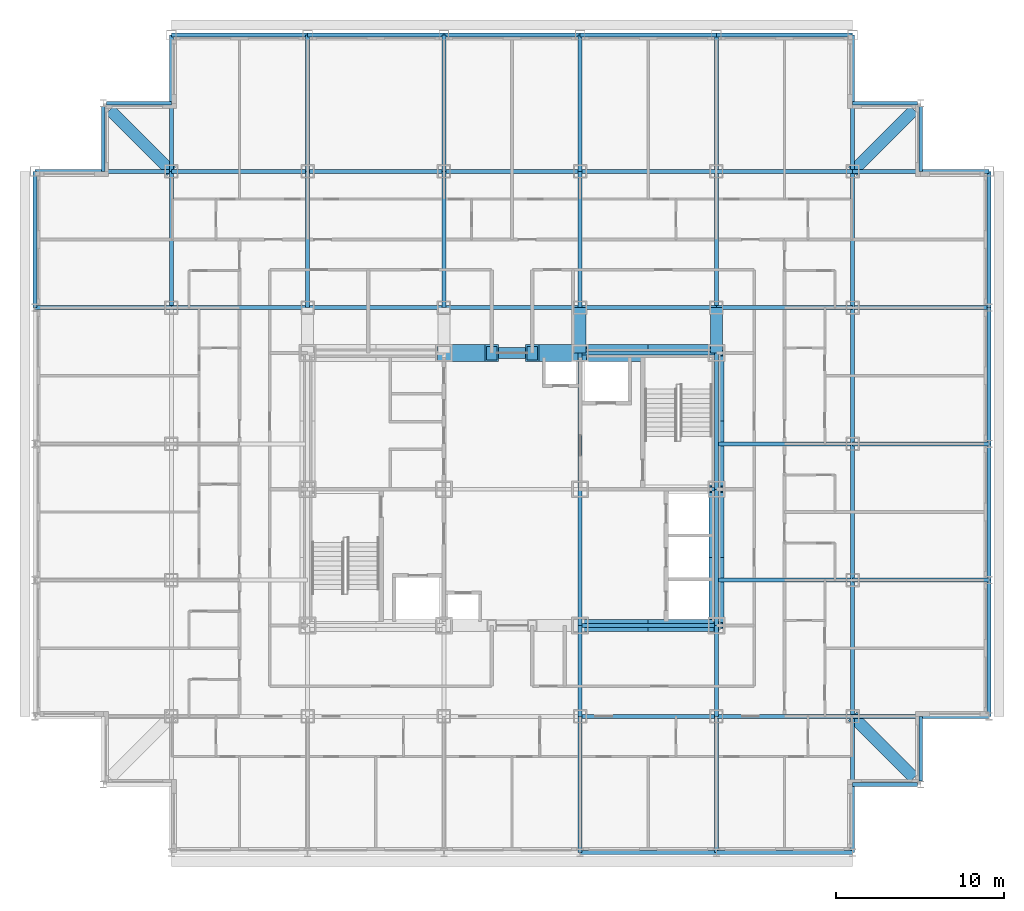
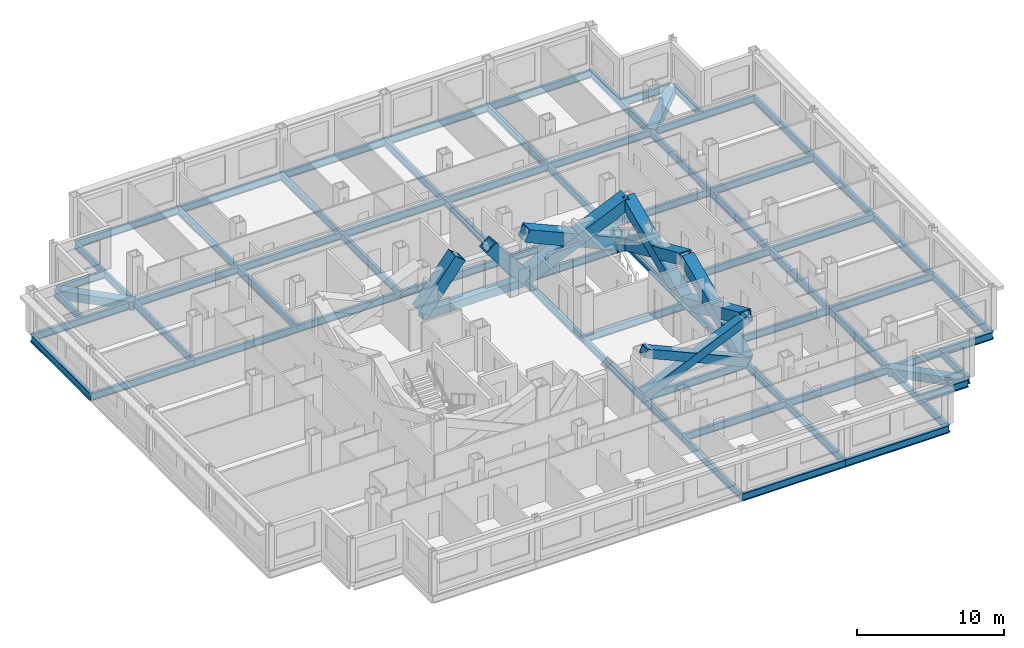
# One storey, part 2 of 12: 72 beams, 10 members.
"""IFC4 building model written with IfcOpenShell, lengths in metres."""

from ifc_helpers import new_model, si_unit, direction, frame, origin, origin_2d, place, context, subcontext, project, spatial, hollow_rectangle, i_section, extrude, material, material_profile, profile_set, type_object, element, save


model = new_model("IFC4")

# Units and contexts
model_context = context("Model", 3, precision=1e-05, world=origin(), true_north=direction((0.0, 1.0)))
body_context = subcontext(model_context, "Body", "Model", "MODEL_VIEW")
ifc_project = project(units=[si_unit("LENGTHUNIT", "METRE"), si_unit("AREAUNIT", "SQUARE_METRE"), si_unit("VOLUMEUNIT", "CUBIC_METRE"), si_unit("PLANEANGLEUNIT", "RADIAN"), si_unit("MASSUNIT", "GRAM", prefix="KILO")], contexts=[model_context])

# Site, building, storey
site_placement = place(None, origin())
site = spatial("IfcSite", under=ifc_project, at=site_placement, CompositionType="ELEMENT")
building_placement = place(site_placement, origin())
building = spatial("IfcBuilding", under=site, at=building_placement, Name="Kopane Lantern Tower", CompositionType="ELEMENT")
storey_placement = place(building_placement, frame((0.0, 0.0, 188.39990234375)))
storey = spatial("IfcBuildingStorey", under=building, at=storey_placement, Name="L48", CompositionType="ELEMENT", Elevation=188.39990234375)

# Members
ifc_material_1 = material(Name="Steel S355JR", Category="steel")
ifc_material_profile_1 = material_profile(ifc_material_1, hollow_rectangle(XDim=1.0, YDim=1.0, WallThickness=0.10009765625, at=origin_2d()), Name="BOX 1000x1000x100")
ifc_profile_set_1 = profile_set([ifc_material_profile_1], Name="Steel S355JR")
member_type_1 = type_object("IfcMemberType", Name="BRACE BOX 1000x1000x100", PredefinedType="BRACE", material=ifc_profile_set_1)
for number, where, z_axis, x_axis, name in (
    (1, (24.300048828125, 40.5, -0.2099609375), (0.620672981644, 0.0, 0.784069544018), (0.0, 1.0, 0.0), "Core brace L48"),
    (2, (32.39990234375, 40.5, -0.2099609375), (-0.620672981644, 0.0, 0.784069544018), (0.0, -1.0, 0.0), "Core brace L48"),
):
    element("IfcMember", number, at=place(storey_placement, frame(where, z_axis=z_axis, x_axis=x_axis)), inside=storey, type_object=member_type_1, Name=name, PredefinedType="BRACE", context=body_context, shape_type="SweptSolid", body=[
        extrude(hollow_rectangle(XDim=1.0, YDim=1.0, WallThickness=0.10009765625, at=origin_2d()), origin(), (0.0, 0.0, 1.0), 4.591552734375),
    ])
for number, where, z_axis, x_axis, name in (
    (3, (32.39990234375, 40.5, -0.2099609375), (0.913809277049, 0.0, 0.40614357705), (0.0, 1.0, 0.0), "Core brace L48"),
    (4, (40.5, 40.5, -0.2099609375), (-0.913809277049, 0.0, 0.40614357705), (0.0, -1.0, 0.0), "Core brace L48"),
):
    element("IfcMember", number, at=place(storey_placement, frame(where, z_axis=z_axis, x_axis=x_axis)), inside=storey, type_object=member_type_1, Name=name, PredefinedType="BRACE", context=body_context, shape_type="SweptSolid", body=[
        extrude(hollow_rectangle(XDim=1.0, YDim=1.0, WallThickness=0.10009765625, at=origin_2d()), origin(), (0.0, 0.0, 1.0), 8.864013671875),
    ])
ifc_material_2 = material(Name="Steel S355JR", Category="steel")
ifc_material_profile_2 = material_profile(ifc_material_2, hollow_rectangle(XDim=0.699951171875, YDim=0.699951171875, WallThickness=0.06005859375, at=origin_2d()), Name="BOX 700x700x60")
ifc_profile_set_2 = profile_set([ifc_material_profile_2], Name="Steel S355JR")
member_type_2 = type_object("IfcMemberType", Name="BRACE BOX 700x700x60", PredefinedType="BRACE", material=ifc_profile_set_2)
for number, where, z_axis, x_axis, name in (
    (5, (32.39990234375, 24.300048828125, -0.2099609375), (0.913809277049, 0.0, 0.40614357705), (0.0, 1.0, 0.0), "Core brace L48"),
    (6, (40.5, 24.300048828125, -0.2099609375), (-0.913809277049, 0.0, 0.40614357705), (0.0, -1.0, 0.0), "Core brace L48"),
):
    element("IfcMember", number, at=place(storey_placement, frame(where, z_axis=z_axis, x_axis=x_axis)), inside=storey, type_object=member_type_2, Name=name, PredefinedType="BRACE", context=body_context, shape_type="SweptSolid", body=[
        extrude(hollow_rectangle(XDim=0.699951171875, YDim=0.699951171875, WallThickness=0.06005859375, at=origin_2d()), origin(), (0.0, 0.0, 1.0), 8.864013671875),
    ])
ifc_material_3 = material(Name="Steel S355JR", Category="steel")
ifc_material_profile_3 = material_profile(ifc_material_3, hollow_rectangle(XDim=0.89990234375, YDim=0.89990234375, WallThickness=0.090087890625, at=origin_2d()), Name="BOX 900x900x90")
ifc_profile_set_3 = profile_set([ifc_material_profile_3], Name="Steel S355JR")
member_type_3 = type_object("IfcMemberType", Name="BRACE BOX 900x900x90", PredefinedType="BRACE", material=ifc_profile_set_3)
for number, where, z_axis, x_axis, name in (
    (7, (40.5, 24.300048828125, -0.2099609375), (0.0, 0.91380473365, 0.406153799391), (-1.0, 0.0, 0.0), "Core brace L48"),
    (8, (40.5, 32.39990234375, -0.2099609375), (0.0, -0.91380473365, 0.406153799391), (1.0, 0.0, 0.0), "Core brace L48"),
):
    element("IfcMember", number, at=place(storey_placement, frame(where, z_axis=z_axis, x_axis=x_axis)), inside=storey, type_object=member_type_3, Name=name, PredefinedType="BRACE", context=body_context, shape_type="SweptSolid", body=[
        extrude(hollow_rectangle(XDim=0.89990234375, YDim=0.89990234375, WallThickness=0.090087890625, at=origin_2d()), origin(), (0.0, 0.0, 1.0), 8.86376953125),
    ])
for number, where, z_axis, x_axis, name in (
    (9, (40.5, 32.39990234375, -0.2099609375), (0.0, 0.913809277049, 0.40614357705), (-1.0, 0.0, 0.0), "Core brace L48"),
    (10, (40.5, 40.5, -0.2099609375), (0.0, -0.913809277049, 0.40614357705), (1.0, 0.0, 0.0), "Core brace L48"),
):
    element("IfcMember", number, at=place(storey_placement, frame(where, z_axis=z_axis, x_axis=x_axis)), inside=storey, type_object=member_type_3, Name=name, PredefinedType="BRACE", context=body_context, shape_type="SweptSolid", body=[
        extrude(hollow_rectangle(XDim=0.89990234375, YDim=0.89990234375, WallThickness=0.090087890625, at=origin_2d()), origin(), (0.0, 0.0, 1.0), 8.864013671875),
    ])

# Beams
ifc_material_4 = material(Name="Steel S355JR", Category="steel")
ifc_material_profile_4 = material_profile(ifc_material_4, i_section(OverallWidth=0.22900390625, OverallDepth=0.6123046875, WebThickness=0.011962890625, FlangeThickness=0.01953125, FilletRadius=0.0126953125, at=origin_2d()), Name="UB 610x229x125")
ifc_profile_set_4 = profile_set([ifc_material_profile_4], Name="Steel S355JR")
beam_type_1 = type_object("IfcBeamType", Name="CORE BEAM UB 610x229x125", PredefinedType="BEAM", material=ifc_profile_set_4)
beam_1_placement = place(storey_placement, frame((32.39990234375, 24.300048828125, -0.51611328125), z_axis=(0.0, 1.0, 0.0), x_axis=(-1.0, 0.0, 0.0)))
element("IfcBeam", 11, at=beam_1_placement, inside=storey, type_object=beam_type_1, Name="Core Beam L48", PredefinedType="BEAM", context=body_context, shape_type="SweptSolid", body=[
    extrude(i_section(OverallWidth=0.22900390625, OverallDepth=0.6123046875, WebThickness=0.011962890625, FlangeThickness=0.01953125, FilletRadius=0.0126953125, at=origin_2d()), origin(), (0.0, 0.0, 1.0), 8.099853515625),
])
for number, where, z_axis, x_axis, name in (
    (12, (32.39990234375, 32.39990234375, -0.51611328125), (0.0, 1.0, 0.0), (-1.0, 0.0, 0.0), "Core Beam L48"),
    (13, (32.39990234375, 32.39990234375, -0.51611328125), (1.0, 0.0, 0.0), (0.0, 1.0, 0.0), "Core Beam L48"),
):
    element("IfcBeam", number, at=place(storey_placement, frame(where, z_axis=z_axis, x_axis=x_axis)), inside=storey, type_object=beam_type_1, Name=name, PredefinedType="BEAM", context=body_context, shape_type="SweptSolid", body=[
        extrude(i_section(OverallWidth=0.22900390625, OverallDepth=0.6123046875, WebThickness=0.011962890625, FlangeThickness=0.01953125, FilletRadius=0.0126953125, at=origin_2d()), origin(), (0.0, 0.0, 1.0), 8.10009765625),
    ])
ifc_material_5 = material(Name="Steel S355JR", Category="steel")
ifc_material_profile_5 = material_profile(ifc_material_5, hollow_rectangle(XDim=0.699951171875, YDim=0.699951171875, WallThickness=0.06005859375, at=origin_2d()), Name="BOX 700x700x60")
ifc_profile_set_5 = profile_set([ifc_material_profile_5], Name="Steel S355JR")
beam_type_2 = type_object("IfcBeamType", Name="CORNER TIE BEAM BOX 700x700x60", PredefinedType="BEAM", material=ifc_profile_set_5)
for number, where, z_axis, x_axis, name in (
    (14, (4.447509765625, 54.952392578125, -0.559814453125), (0.70713041325, -0.707083148333, 0.0), (0.707083148333, 0.70713041325, 0.0), "Corner Tie Beam L48"),
    (15, (52.25244140625, 15.24755859375, -0.559814453125), (-0.707106781187, 0.707106781187, 0.0), (-0.707106781187, -0.707106781187, 0.0), "Corner Tie Beam L48"),
    (16, (52.25244140625, 54.952392578125, -0.559814453125), (-0.707106781187, -0.707106781187, 0.0), (0.707106781187, -0.707106781187, 0.0), "Corner Tie Beam L48"),
):
    element("IfcBeam", number, at=place(storey_placement, frame(where, z_axis=z_axis, x_axis=x_axis)), inside=storey, type_object=beam_type_2, Name=name, PredefinedType="BEAM", context=body_context, shape_type="SweptSolid", body=[
        extrude(hollow_rectangle(XDim=0.699951171875, YDim=0.699951171875, WallThickness=0.06005859375, at=origin_2d()), origin(), (0.0, 0.0, 1.0), 5.165283203125),
    ])
ifc_material_6 = material(Name="Steel S355JR", Category="steel")
ifc_material_profile_6 = material_profile(ifc_material_6, i_section(OverallWidth=0.22900390625, OverallDepth=0.6123046875, WebThickness=0.011962890625, FlangeThickness=0.01953125, FilletRadius=0.0126953125, at=origin_2d()), Name="UB 610x229x125")
ifc_profile_set_6 = profile_set([ifc_material_profile_6], Name="Steel S355JR")
beam_type_3 = type_object("IfcBeamType", Name="EDGE BEAM UB 610x229x125", PredefinedType="BEAM", material=ifc_profile_set_6)
beam_2_placement = place(storey_placement, frame((4.050048828125, 55.146484375, -0.51611328125), z_axis=(0.0, -1.0, 0.0), x_axis=(1.0, 0.0, 0.0)))
element("IfcBeam", 17, at=beam_2_placement, inside=storey, type_object=beam_type_3, Name="Edge Beam L48", PredefinedType="BEAM", context=body_context, shape_type="SweptSolid", body=[
    extrude(i_section(OverallWidth=0.22900390625, OverallDepth=0.6123046875, WebThickness=0.011962890625, FlangeThickness=0.01953125, FilletRadius=0.0126953125, at=origin_2d()), origin(), (0.0, 0.0, 1.0), 3.846435546875),
])
beam_3_placement = place(storey_placement, frame((4.25341796875, 55.35009765625, -0.51611328125), z_axis=(1.0, 0.0, 0.0), x_axis=(0.0, 1.0, 0.0)))
element("IfcBeam", 18, at=beam_3_placement, inside=storey, type_object=beam_type_3, Name="Edge Beam L48", PredefinedType="BEAM", context=body_context, shape_type="SweptSolid", body=[
    extrude(i_section(OverallWidth=0.22900390625, OverallDepth=0.6123046875, WebThickness=0.011962890625, FlangeThickness=0.01953125, FilletRadius=0.0126953125, at=origin_2d()), origin(), (0.0, 0.0, 1.0), 3.8466796875),
])
for number, where, z_axis, x_axis, name in (
    (19, (52.446533203125, 14.85009765625, -0.51611328125), (-1.0, 0.0, 0.0), (0.0, -1.0, 0.0), "Edge Beam L48"),
    (20, (52.446533203125, 55.35009765625, -0.51611328125), (-1.0, 0.0, 0.0), (0.0, -1.0, 0.0), "Edge Beam L48"),
    (21, (52.64990234375, 15.053466796875, -0.51611328125), (0.0, 1.0, 0.0), (-1.0, 0.0, 0.0), "Edge Beam L48"),
    (22, (52.64990234375, 55.146484375, -0.51611328125), (0.0, -1.0, 0.0), (1.0, 0.0, 0.0), "Edge Beam L48"),
):
    element("IfcBeam", number, at=place(storey_placement, frame(where, z_axis=z_axis, x_axis=x_axis)), inside=storey, type_object=beam_type_3, Name=name, PredefinedType="BEAM", context=body_context, shape_type="SweptSolid", body=[
        extrude(i_section(OverallWidth=0.22900390625, OverallDepth=0.6123046875, WebThickness=0.011962890625, FlangeThickness=0.01953125, FilletRadius=0.0126953125, at=origin_2d()), origin(), (0.0, 0.0, 1.0), 3.846435546875),
    ])
ifc_material_7 = material(Name="Steel S355JR", Category="steel")
ifc_material_profile_7 = material_profile(ifc_material_7, hollow_rectangle(XDim=0.699951171875, YDim=0.699951171875, WallThickness=0.06005859375, at=origin_2d()), Name="BOX 700x700x60")
ifc_profile_set_7 = profile_set([ifc_material_profile_7], Name="Steel S355JR")
beam_type_4 = type_object("IfcBeamType", Name="GIRDER BOX 700x700x60", PredefinedType="BEAM", material=ifc_profile_set_7)
for number, where, z_axis, x_axis, name in (
    (23, (32.39990234375, 40.5, -0.559814453125), (0.0, 1.0, 0.0), (-1.0, 0.0, 0.0), "Girder L48"),
    (24, (40.5, 40.5, -0.559814453125), (0.0, 1.0, 0.0), (-1.0, 0.0, 0.0), "Girder L48"),
):
    element("IfcBeam", number, at=place(storey_placement, frame(where, z_axis=z_axis, x_axis=x_axis)), inside=storey, type_object=beam_type_4, Name=name, PredefinedType="BEAM", context=body_context, shape_type="SweptSolid", body=[
        extrude(hollow_rectangle(XDim=0.699951171875, YDim=0.699951171875, WallThickness=0.06005859375, at=origin_2d()), origin(), (0.0, 0.0, 1.0), 2.699951171875),
    ])
ifc_material_8 = material(Name="Steel S355JR", Category="steel")
ifc_material_profile_8 = material_profile(ifc_material_8, i_section(OverallWidth=0.22900390625, OverallDepth=0.6123046875, WebThickness=0.011962890625, FlangeThickness=0.01953125, FilletRadius=0.0126953125, at=origin_2d()), Name="UB 610x229x125")
ifc_profile_set_8 = profile_set([ifc_material_profile_8], Name="Steel S355JR")
beam_type_5 = type_object("IfcBeamType", Name="GIRDER UB 610x229x125", PredefinedType="BEAM", material=ifc_profile_set_8)
for number, where, z_axis, x_axis, name in (
    (25, (0.0, 43.199951171875, -0.51611328125), (0.0, 1.0, 0.0), (-1.0, 0.0, 0.0), "Girder L48"),
    (26, (0.0, 43.199951171875, -0.51611328125), (1.0, 0.0, 0.0), (0.0, 1.0, 0.0), "Girder L48"),
    (27, (0.0, 51.300048828125, -0.51611328125), (1.0, 0.0, 0.0), (0.0, 1.0, 0.0), "Girder L48"),
    (28, (8.10009765625, 43.199951171875, -0.51611328125), (0.0, 1.0, 0.0), (-1.0, 0.0, 0.0), "Girder L48"),
):
    element("IfcBeam", number, at=place(storey_placement, frame(where, z_axis=z_axis, x_axis=x_axis)), inside=storey, type_object=beam_type_5, Name=name, PredefinedType="BEAM", context=body_context, shape_type="SweptSolid", body=[
        extrude(i_section(OverallWidth=0.22900390625, OverallDepth=0.6123046875, WebThickness=0.011962890625, FlangeThickness=0.01953125, FilletRadius=0.0126953125, at=origin_2d()), origin(), (0.0, 0.0, 1.0), 8.10009765625),
    ])
for number, where, z_axis, x_axis, name in (
    (29, (8.10009765625, 43.199951171875, -0.51611328125), (1.0, 0.0, 0.0), (0.0, 1.0, 0.0), "Girder L48"),
    (30, (8.10009765625, 51.300048828125, -0.51611328125), (0.0, 1.0, 0.0), (-1.0, 0.0, 0.0), "Girder L48"),
    (31, (8.10009765625, 51.300048828125, -0.51611328125), (1.0, 0.0, 0.0), (0.0, 1.0, 0.0), "Girder L48"),
    (32, (8.10009765625, 59.39990234375, -0.51611328125), (1.0, 0.0, 0.0), (0.0, 1.0, 0.0), "Girder L48"),
):
    element("IfcBeam", number, at=place(storey_placement, frame(where, z_axis=z_axis, x_axis=x_axis)), inside=storey, type_object=beam_type_5, Name=name, PredefinedType="BEAM", context=body_context, shape_type="SweptSolid", body=[
        extrude(i_section(OverallWidth=0.22900390625, OverallDepth=0.6123046875, WebThickness=0.011962890625, FlangeThickness=0.01953125, FilletRadius=0.0126953125, at=origin_2d()), origin(), (0.0, 0.0, 1.0), 8.099853515625),
    ])
for number, where, z_axis, x_axis, name in (
    (33, (16.199951171875, 43.199951171875, -0.51611328125), (0.0, 1.0, 0.0), (-1.0, 0.0, 0.0), "Girder L48"),
    (34, (16.199951171875, 43.199951171875, -0.51611328125), (1.0, 0.0, 0.0), (0.0, 1.0, 0.0), "Girder L48"),
):
    element("IfcBeam", number, at=place(storey_placement, frame(where, z_axis=z_axis, x_axis=x_axis)), inside=storey, type_object=beam_type_5, Name=name, PredefinedType="BEAM", context=body_context, shape_type="SweptSolid", body=[
        extrude(i_section(OverallWidth=0.22900390625, OverallDepth=0.6123046875, WebThickness=0.011962890625, FlangeThickness=0.01953125, FilletRadius=0.0126953125, at=origin_2d()), origin(), (0.0, 0.0, 1.0), 8.10009765625),
    ])
beam_4_placement = place(storey_placement, frame((16.199951171875, 51.300048828125, -0.51611328125), z_axis=(0.0, 1.0, 0.0), x_axis=(-1.0, 0.0, 0.0)))
element("IfcBeam", 35, at=beam_4_placement, inside=storey, type_object=beam_type_5, Name="Girder L48", PredefinedType="BEAM", context=body_context, shape_type="SweptSolid", body=[
    extrude(i_section(OverallWidth=0.22900390625, OverallDepth=0.6123046875, WebThickness=0.011962890625, FlangeThickness=0.01953125, FilletRadius=0.0126953125, at=origin_2d()), origin(), (0.0, 0.0, 1.0), 8.099853515625),
])
for number, where, z_axis, x_axis, name in (
    (36, (16.199951171875, 51.300048828125, -0.51611328125), (1.0, 0.0, 0.0), (0.0, 1.0, 0.0), "Girder L48"),
    (37, (16.199951171875, 59.39990234375, -0.51611328125), (1.0, 0.0, 0.0), (0.0, 1.0, 0.0), "Girder L48"),
    (38, (24.300048828125, 43.199951171875, -0.51611328125), (0.0, 1.0, 0.0), (-1.0, 0.0, 0.0), "Girder L48"),
):
    element("IfcBeam", number, at=place(storey_placement, frame(where, z_axis=z_axis, x_axis=x_axis)), inside=storey, type_object=beam_type_5, Name=name, PredefinedType="BEAM", context=body_context, shape_type="SweptSolid", body=[
        extrude(i_section(OverallWidth=0.22900390625, OverallDepth=0.6123046875, WebThickness=0.011962890625, FlangeThickness=0.01953125, FilletRadius=0.0126953125, at=origin_2d()), origin(), (0.0, 0.0, 1.0), 8.10009765625),
    ])
for number, where, z_axis, x_axis, name in (
    (39, (24.300048828125, 43.199951171875, -0.51611328125), (1.0, 0.0, 0.0), (0.0, 1.0, 0.0), "Girder L48"),
    (40, (24.300048828125, 51.300048828125, -0.51611328125), (0.0, 1.0, 0.0), (-1.0, 0.0, 0.0), "Girder L48"),
    (41, (24.300048828125, 51.300048828125, -0.51611328125), (1.0, 0.0, 0.0), (0.0, 1.0, 0.0), "Girder L48"),
    (42, (24.300048828125, 59.39990234375, -0.51611328125), (1.0, 0.0, 0.0), (0.0, 1.0, 0.0), "Girder L48"),
    (43, (32.39990234375, 10.800048828125, -0.51611328125), (0.0, 1.0, 0.0), (-1.0, 0.0, 0.0), "Girder L48"),
):
    element("IfcBeam", number, at=place(storey_placement, frame(where, z_axis=z_axis, x_axis=x_axis)), inside=storey, type_object=beam_type_5, Name=name, PredefinedType="BEAM", context=body_context, shape_type="SweptSolid", body=[
        extrude(i_section(OverallWidth=0.22900390625, OverallDepth=0.6123046875, WebThickness=0.011962890625, FlangeThickness=0.01953125, FilletRadius=0.0126953125, at=origin_2d()), origin(), (0.0, 0.0, 1.0), 8.099853515625),
    ])
beam_5_placement = place(storey_placement, frame((32.39990234375, 10.800048828125, -0.51611328125), z_axis=(1.0, 0.0, 0.0), x_axis=(0.0, 1.0, 0.0)))
element("IfcBeam", 44, at=beam_5_placement, inside=storey, type_object=beam_type_5, Name="Girder L48", PredefinedType="BEAM", context=body_context, shape_type="SweptSolid", body=[
    extrude(i_section(OverallWidth=0.22900390625, OverallDepth=0.6123046875, WebThickness=0.011962890625, FlangeThickness=0.01953125, FilletRadius=0.0126953125, at=origin_2d()), origin(), (0.0, 0.0, 1.0), 8.10009765625),
])
beam_6_placement = place(storey_placement, frame((32.39990234375, 18.89990234375, -0.51611328125), z_axis=(0.0, 1.0, 0.0), x_axis=(-1.0, 0.0, 0.0)))
element("IfcBeam", 45, at=beam_6_placement, inside=storey, type_object=beam_type_5, Name="Girder L48", PredefinedType="BEAM", context=body_context, shape_type="SweptSolid", body=[
    extrude(i_section(OverallWidth=0.22900390625, OverallDepth=0.6123046875, WebThickness=0.011962890625, FlangeThickness=0.01953125, FilletRadius=0.0126953125, at=origin_2d()), origin(), (0.0, 0.0, 1.0), 5.400146484375),
])
for number, where, z_axis, x_axis, name in (
    (46, (32.39990234375, 18.89990234375, -0.51611328125), (1.0, 0.0, 0.0), (0.0, 1.0, 0.0), "Girder L48"),
    (47, (32.39990234375, 24.300048828125, -0.51611328125), (1.0, 0.0, 0.0), (0.0, 1.0, 0.0), "Girder L48"),
    (48, (32.39990234375, 40.5, -0.51611328125), (1.0, 0.0, 0.0), (0.0, 1.0, 0.0), "Girder L48"),
    (49, (32.39990234375, 43.199951171875, -0.51611328125), (0.0, 1.0, 0.0), (-1.0, 0.0, 0.0), "Girder L48"),
    (50, (32.39990234375, 43.199951171875, -0.51611328125), (1.0, 0.0, 0.0), (0.0, 1.0, 0.0), "Girder L48"),
):
    element("IfcBeam", number, at=place(storey_placement, frame(where, z_axis=z_axis, x_axis=x_axis)), inside=storey, type_object=beam_type_5, Name=name, PredefinedType="BEAM", context=body_context, shape_type="SweptSolid", body=[
        extrude(i_section(OverallWidth=0.22900390625, OverallDepth=0.6123046875, WebThickness=0.011962890625, FlangeThickness=0.01953125, FilletRadius=0.0126953125, at=origin_2d()), origin(), (0.0, 0.0, 1.0), 8.10009765625),
    ])
beam_7_placement = place(storey_placement, frame((32.39990234375, 51.300048828125, -0.51611328125), z_axis=(0.0, 1.0, 0.0), x_axis=(-1.0, 0.0, 0.0)))
element("IfcBeam", 51, at=beam_7_placement, inside=storey, type_object=beam_type_5, Name="Girder L48", PredefinedType="BEAM", context=body_context, shape_type="SweptSolid", body=[
    extrude(i_section(OverallWidth=0.22900390625, OverallDepth=0.6123046875, WebThickness=0.011962890625, FlangeThickness=0.01953125, FilletRadius=0.0126953125, at=origin_2d()), origin(), (0.0, 0.0, 1.0), 8.099853515625),
])
for number, where, z_axis, x_axis, name in (
    (52, (32.39990234375, 51.300048828125, -0.51611328125), (1.0, 0.0, 0.0), (0.0, 1.0, 0.0), "Girder L48"),
    (53, (32.39990234375, 59.39990234375, -0.51611328125), (1.0, 0.0, 0.0), (0.0, 1.0, 0.0), "Girder L48"),
):
    element("IfcBeam", number, at=place(storey_placement, frame(where, z_axis=z_axis, x_axis=x_axis)), inside=storey, type_object=beam_type_5, Name=name, PredefinedType="BEAM", context=body_context, shape_type="SweptSolid", body=[
        extrude(i_section(OverallWidth=0.22900390625, OverallDepth=0.6123046875, WebThickness=0.011962890625, FlangeThickness=0.01953125, FilletRadius=0.0126953125, at=origin_2d()), origin(), (0.0, 0.0, 1.0), 8.10009765625),
    ])
beam_8_placement = place(storey_placement, frame((40.5, 10.800048828125, -0.51611328125), z_axis=(0.0, 1.0, 0.0), x_axis=(-1.0, 0.0, 0.0)))
element("IfcBeam", 54, at=beam_8_placement, inside=storey, type_object=beam_type_5, Name="Girder L48", PredefinedType="BEAM", context=body_context, shape_type="SweptSolid", body=[
    extrude(i_section(OverallWidth=0.22900390625, OverallDepth=0.6123046875, WebThickness=0.011962890625, FlangeThickness=0.01953125, FilletRadius=0.0126953125, at=origin_2d()), origin(), (0.0, 0.0, 1.0), 8.099853515625),
])
beam_9_placement = place(storey_placement, frame((40.5, 10.800048828125, -0.51611328125), z_axis=(1.0, 0.0, 0.0), x_axis=(0.0, 1.0, 0.0)))
element("IfcBeam", 55, at=beam_9_placement, inside=storey, type_object=beam_type_5, Name="Girder L48", PredefinedType="BEAM", context=body_context, shape_type="SweptSolid", body=[
    extrude(i_section(OverallWidth=0.22900390625, OverallDepth=0.6123046875, WebThickness=0.011962890625, FlangeThickness=0.01953125, FilletRadius=0.0126953125, at=origin_2d()), origin(), (0.0, 0.0, 1.0), 8.10009765625),
])
beam_10_placement = place(storey_placement, frame((40.5, 18.89990234375, -0.51611328125), z_axis=(0.0, 1.0, 0.0), x_axis=(-1.0, 0.0, 0.0)))
element("IfcBeam", 56, at=beam_10_placement, inside=storey, type_object=beam_type_5, Name="Girder L48", PredefinedType="BEAM", context=body_context, shape_type="SweptSolid", body=[
    extrude(i_section(OverallWidth=0.22900390625, OverallDepth=0.6123046875, WebThickness=0.011962890625, FlangeThickness=0.01953125, FilletRadius=0.0126953125, at=origin_2d()), origin(), (0.0, 0.0, 1.0), 5.400146484375),
])
beam_11_placement = place(storey_placement, frame((40.5, 18.89990234375, -0.51611328125), z_axis=(1.0, 0.0, 0.0), x_axis=(0.0, 1.0, 0.0)))
element("IfcBeam", 57, at=beam_11_placement, inside=storey, type_object=beam_type_5, Name="Girder L48", PredefinedType="BEAM", context=body_context, shape_type="SweptSolid", body=[
    extrude(i_section(OverallWidth=0.22900390625, OverallDepth=0.6123046875, WebThickness=0.011962890625, FlangeThickness=0.01953125, FilletRadius=0.0126953125, at=origin_2d()), origin(), (0.0, 0.0, 1.0), 8.10009765625),
])
beam_12_placement = place(storey_placement, frame((40.5, 24.300048828125, -0.51611328125), z_axis=(0.0, 1.0, 0.0), x_axis=(-1.0, 0.0, 0.0)))
element("IfcBeam", 58, at=beam_12_placement, inside=storey, type_object=beam_type_5, Name="Girder L48", PredefinedType="BEAM", context=body_context, shape_type="SweptSolid", body=[
    extrude(i_section(OverallWidth=0.22900390625, OverallDepth=0.6123046875, WebThickness=0.011962890625, FlangeThickness=0.01953125, FilletRadius=0.0126953125, at=origin_2d()), origin(), (0.0, 0.0, 1.0), 8.099853515625),
])
for number, where, z_axis, x_axis, name in (
    (59, (40.5, 27.0, -0.51611328125), (1.0, 0.0, 0.0), (0.0, 1.0, 0.0), "Girder L48"),
    (60, (40.5, 32.39990234375, -0.51611328125), (0.0, 1.0, 0.0), (-1.0, 0.0, 0.0), "Girder L48"),
    (61, (40.5, 35.10009765625, -0.51611328125), (1.0, 0.0, 0.0), (0.0, 1.0, 0.0), "Girder L48"),
    (62, (40.5, 43.199951171875, -0.51611328125), (0.0, 1.0, 0.0), (-1.0, 0.0, 0.0), "Girder L48"),
    (63, (40.5, 43.199951171875, -0.51611328125), (1.0, 0.0, 0.0), (0.0, 1.0, 0.0), "Girder L48"),
):
    element("IfcBeam", number, at=place(storey_placement, frame(where, z_axis=z_axis, x_axis=x_axis)), inside=storey, type_object=beam_type_5, Name=name, PredefinedType="BEAM", context=body_context, shape_type="SweptSolid", body=[
        extrude(i_section(OverallWidth=0.22900390625, OverallDepth=0.6123046875, WebThickness=0.011962890625, FlangeThickness=0.01953125, FilletRadius=0.0126953125, at=origin_2d()), origin(), (0.0, 0.0, 1.0), 8.10009765625),
    ])
beam_13_placement = place(storey_placement, frame((40.5, 51.300048828125, -0.51611328125), z_axis=(0.0, 1.0, 0.0), x_axis=(-1.0, 0.0, 0.0)))
element("IfcBeam", 64, at=beam_13_placement, inside=storey, type_object=beam_type_5, Name="Girder L48", PredefinedType="BEAM", context=body_context, shape_type="SweptSolid", body=[
    extrude(i_section(OverallWidth=0.22900390625, OverallDepth=0.6123046875, WebThickness=0.011962890625, FlangeThickness=0.01953125, FilletRadius=0.0126953125, at=origin_2d()), origin(), (0.0, 0.0, 1.0), 8.099853515625),
])
for number, where, z_axis, x_axis, name in (
    (65, (40.5, 51.300048828125, -0.51611328125), (1.0, 0.0, 0.0), (0.0, 1.0, 0.0), "Girder L48"),
    (66, (40.5, 59.39990234375, -0.51611328125), (1.0, 0.0, 0.0), (0.0, 1.0, 0.0), "Girder L48"),
):
    element("IfcBeam", number, at=place(storey_placement, frame(where, z_axis=z_axis, x_axis=x_axis)), inside=storey, type_object=beam_type_5, Name=name, PredefinedType="BEAM", context=body_context, shape_type="SweptSolid", body=[
        extrude(i_section(OverallWidth=0.22900390625, OverallDepth=0.6123046875, WebThickness=0.011962890625, FlangeThickness=0.01953125, FilletRadius=0.0126953125, at=origin_2d()), origin(), (0.0, 0.0, 1.0), 8.10009765625),
    ])
beam_14_placement = place(storey_placement, frame((48.60009765625, 10.800048828125, -0.51611328125), z_axis=(0.0, 1.0, 0.0), x_axis=(-1.0, 0.0, 0.0)))
element("IfcBeam", 67, at=beam_14_placement, inside=storey, type_object=beam_type_5, Name="Girder L48", PredefinedType="BEAM", context=body_context, shape_type="SweptSolid", body=[
    extrude(i_section(OverallWidth=0.22900390625, OverallDepth=0.6123046875, WebThickness=0.011962890625, FlangeThickness=0.01953125, FilletRadius=0.0126953125, at=origin_2d()), origin(), (0.0, 0.0, 1.0), 8.099853515625),
])
beam_15_placement = place(storey_placement, frame((48.60009765625, 18.89990234375, -0.51611328125), z_axis=(0.0, 1.0, 0.0), x_axis=(-1.0, 0.0, 0.0)))
element("IfcBeam", 68, at=beam_15_placement, inside=storey, type_object=beam_type_5, Name="Girder L48", PredefinedType="BEAM", context=body_context, shape_type="SweptSolid", body=[
    extrude(i_section(OverallWidth=0.22900390625, OverallDepth=0.6123046875, WebThickness=0.011962890625, FlangeThickness=0.01953125, FilletRadius=0.0126953125, at=origin_2d()), origin(), (0.0, 0.0, 1.0), 8.10009765625),
])
beam_16_placement = place(storey_placement, frame((48.60009765625, 18.89990234375, -0.51611328125), z_axis=(1.0, 0.0, 0.0), x_axis=(0.0, 1.0, 0.0)))
element("IfcBeam", 69, at=beam_16_placement, inside=storey, type_object=beam_type_5, Name="Girder L48", PredefinedType="BEAM", context=body_context, shape_type="SweptSolid", body=[
    extrude(i_section(OverallWidth=0.22900390625, OverallDepth=0.6123046875, WebThickness=0.011962890625, FlangeThickness=0.01953125, FilletRadius=0.0126953125, at=origin_2d()), origin(), (0.0, 0.0, 1.0), 8.099853515625),
])
beam_17_placement = place(storey_placement, frame((48.60009765625, 27.0, -0.51611328125), z_axis=(0.0, 1.0, 0.0), x_axis=(-1.0, 0.0, 0.0)))
element("IfcBeam", 70, at=beam_17_placement, inside=storey, type_object=beam_type_5, Name="Girder L48", PredefinedType="BEAM", context=body_context, shape_type="SweptSolid", body=[
    extrude(i_section(OverallWidth=0.22900390625, OverallDepth=0.6123046875, WebThickness=0.011962890625, FlangeThickness=0.01953125, FilletRadius=0.0126953125, at=origin_2d()), origin(), (0.0, 0.0, 1.0), 8.10009765625),
])
for number, where, z_axis, x_axis, name in (
    (71, (48.60009765625, 27.0, -0.51611328125), (1.0, 0.0, 0.0), (0.0, 1.0, 0.0), "Girder L48"),
    (72, (48.60009765625, 35.10009765625, -0.51611328125), (0.0, 1.0, 0.0), (-1.0, 0.0, 0.0), "Girder L48"),
    (73, (48.60009765625, 35.10009765625, -0.51611328125), (1.0, 0.0, 0.0), (0.0, 1.0, 0.0), "Girder L48"),
):
    element("IfcBeam", number, at=place(storey_placement, frame(where, z_axis=z_axis, x_axis=x_axis)), inside=storey, type_object=beam_type_5, Name=name, PredefinedType="BEAM", context=body_context, shape_type="SweptSolid", body=[
        extrude(i_section(OverallWidth=0.22900390625, OverallDepth=0.6123046875, WebThickness=0.011962890625, FlangeThickness=0.01953125, FilletRadius=0.0126953125, at=origin_2d()), origin(), (0.0, 0.0, 1.0), 8.099853515625),
    ])
beam_18_placement = place(storey_placement, frame((48.60009765625, 43.199951171875, -0.51611328125), z_axis=(0.0, 1.0, 0.0), x_axis=(-1.0, 0.0, 0.0)))
element("IfcBeam", 74, at=beam_18_placement, inside=storey, type_object=beam_type_5, Name="Girder L48", PredefinedType="BEAM", context=body_context, shape_type="SweptSolid", body=[
    extrude(i_section(OverallWidth=0.22900390625, OverallDepth=0.6123046875, WebThickness=0.011962890625, FlangeThickness=0.01953125, FilletRadius=0.0126953125, at=origin_2d()), origin(), (0.0, 0.0, 1.0), 8.10009765625),
])
for number, where, z_axis, x_axis, name in (
    (75, (48.60009765625, 43.199951171875, -0.51611328125), (1.0, 0.0, 0.0), (0.0, 1.0, 0.0), "Girder L48"),
    (76, (48.60009765625, 51.300048828125, -0.51611328125), (0.0, 1.0, 0.0), (-1.0, 0.0, 0.0), "Girder L48"),
    (77, (48.60009765625, 51.300048828125, -0.51611328125), (1.0, 0.0, 0.0), (0.0, 1.0, 0.0), "Girder L48"),
):
    element("IfcBeam", number, at=place(storey_placement, frame(where, z_axis=z_axis, x_axis=x_axis)), inside=storey, type_object=beam_type_5, Name=name, PredefinedType="BEAM", context=body_context, shape_type="SweptSolid", body=[
        extrude(i_section(OverallWidth=0.22900390625, OverallDepth=0.6123046875, WebThickness=0.011962890625, FlangeThickness=0.01953125, FilletRadius=0.0126953125, at=origin_2d()), origin(), (0.0, 0.0, 1.0), 8.099853515625),
    ])
for number, where, z_axis, x_axis, name in (
    (78, (56.699951171875, 18.89990234375, -0.51611328125), (0.0, 1.0, 0.0), (-1.0, 0.0, 0.0), "Girder L48"),
    (79, (56.699951171875, 27.0, -0.51611328125), (0.0, 1.0, 0.0), (-1.0, 0.0, 0.0), "Girder L48"),
):
    element("IfcBeam", number, at=place(storey_placement, frame(where, z_axis=z_axis, x_axis=x_axis)), inside=storey, type_object=beam_type_5, Name=name, PredefinedType="BEAM", context=body_context, shape_type="SweptSolid", body=[
        extrude(i_section(OverallWidth=0.22900390625, OverallDepth=0.6123046875, WebThickness=0.011962890625, FlangeThickness=0.01953125, FilletRadius=0.0126953125, at=origin_2d()), origin(), (0.0, 0.0, 1.0), 8.10009765625),
    ])
beam_19_placement = place(storey_placement, frame((56.699951171875, 35.10009765625, -0.51611328125), z_axis=(0.0, 1.0, 0.0), x_axis=(-1.0, 0.0, 0.0)))
element("IfcBeam", 80, at=beam_19_placement, inside=storey, type_object=beam_type_5, Name="Girder L48", PredefinedType="BEAM", context=body_context, shape_type="SweptSolid", body=[
    extrude(i_section(OverallWidth=0.22900390625, OverallDepth=0.6123046875, WebThickness=0.011962890625, FlangeThickness=0.01953125, FilletRadius=0.0126953125, at=origin_2d()), origin(), (0.0, 0.0, 1.0), 8.099853515625),
])
beam_20_placement = place(storey_placement, frame((56.699951171875, 43.199951171875, -0.51611328125), z_axis=(0.0, 1.0, 0.0), x_axis=(-1.0, 0.0, 0.0)))
element("IfcBeam", 81, at=beam_20_placement, inside=storey, type_object=beam_type_5, Name="Girder L48", PredefinedType="BEAM", context=body_context, shape_type="SweptSolid", body=[
    extrude(i_section(OverallWidth=0.22900390625, OverallDepth=0.6123046875, WebThickness=0.011962890625, FlangeThickness=0.01953125, FilletRadius=0.0126953125, at=origin_2d()), origin(), (0.0, 0.0, 1.0), 8.10009765625),
])
ifc_material_9 = material(Name="Steel S355JR", Category="steel")
ifc_material_profile_9 = material_profile(ifc_material_9, hollow_rectangle(XDim=0.64990234375, YDim=0.64990234375, WallThickness=0.070068359375, at=origin_2d()), Name="BOX 650x650x70")
ifc_profile_set_9 = profile_set([ifc_material_profile_9], Name="Steel S355JR")
beam_type_6 = type_object("IfcBeamType", Name="LINK BEAM BOX 650x650x70", PredefinedType="BEAM", material=ifc_profile_set_9)
beam_21_placement = place(storey_placement, frame((24.300048828125, 40.5, -0.534912109375), z_axis=(1.0, 0.0, 0.0), x_axis=(0.0, 1.0, 0.0)))
element("IfcBeam", 82, at=beam_21_placement, inside=storey, type_object=beam_type_6, Name="Link Beam L48", PredefinedType="BEAM", context=body_context, shape_type="SweptSolid", body=[
    extrude(hollow_rectangle(XDim=0.64990234375, YDim=0.64990234375, WallThickness=0.070068359375, at=origin_2d()), origin(), (0.0, 0.0, 1.0), 8.099853515625),
])

save(model, "model.ifc")
